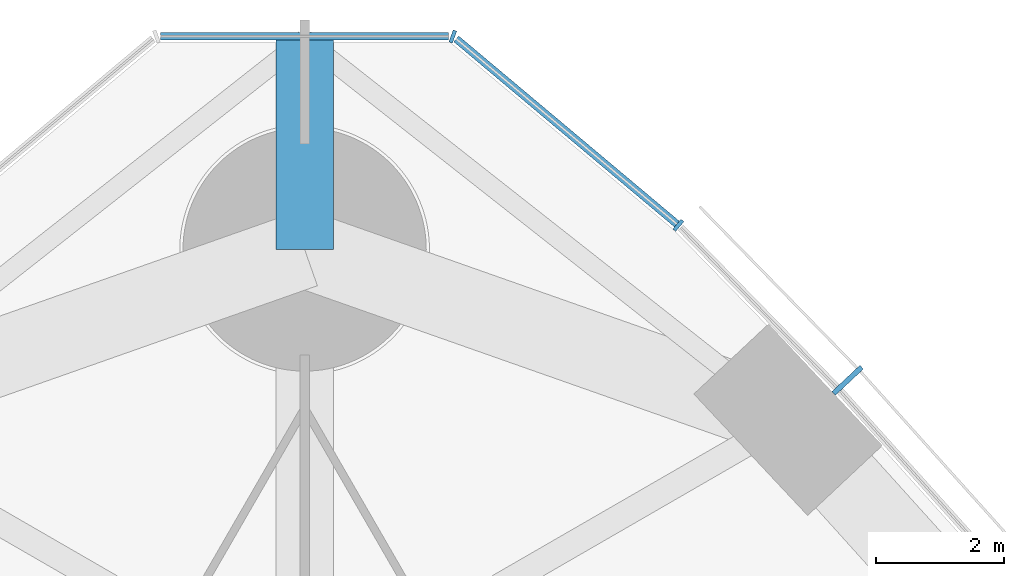
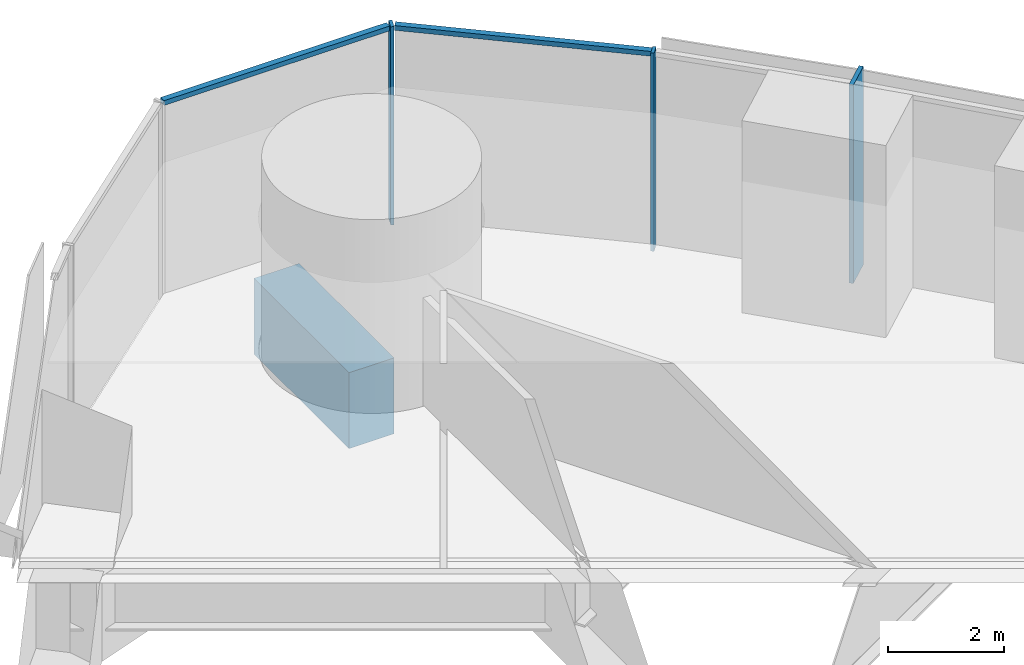
# One storey, part 8 of 19: 5 members, 1 beam, 2 elements without a shape of their own.
"""IFC4 building model written with IfcOpenShell, lengths in metres."""

from ifc_helpers import new_model, si_unit, direction, frame, origin, origin_2d, place, context, subcontext, project, spatial, rectangle, extrude, material, material_profile, profile_set, type_object, element, aggregate, save


model = new_model("IFC4")

# Units and contexts
model_context = context("Model", 3, precision=1e-05, world=origin(), true_north=direction((0.0, 1.0)))
body_context = subcontext(model_context, "Body", "Model", "MODEL_VIEW")
ifc_project = project(units=[si_unit("LENGTHUNIT", "METRE"), si_unit("AREAUNIT", "SQUARE_METRE"), si_unit("VOLUMEUNIT", "CUBIC_METRE"), si_unit("PLANEANGLEUNIT", "RADIAN"), si_unit("MASSUNIT", "GRAM", prefix="KILO")], contexts=[model_context])

# Site, building, storey
site_placement = place(None, origin())
site = spatial("IfcSite", under=ifc_project, at=site_placement, CompositionType="ELEMENT")
building_placement = place(site_placement, origin())
building = spatial("IfcBuilding", under=site, at=building_placement, Name="Trefoil Bronze Tower", CompositionType="ELEMENT")
storey_placement = place(building_placement, frame((0.0, 0.0, 189.699951171875)))
storey = spatial("IfcBuildingStorey", under=building, at=storey_placement, Name="L43", CompositionType="ELEMENT", Elevation=189.699951171875)

# Curtain wall, member
ifc_material_1 = material(Name="Tinted solar-control glass", Category="glass")
curtain_wall_type_1 = type_object("IfcCurtainWallType", Name="Bronze office curtain wall", PredefinedType="USERDEFINED", material=ifc_material_1)
curtain_wall_1_placement = place(storey_placement, origin())
curtain_wall_1 = element("IfcCurtainWall", 1, at=curtain_wall_1_placement, inside=storey, type_object=curtain_wall_type_1, Name="CW-A L43 F2", ObjectType="CURTAIN WALL", PredefinedType="USERDEFINED")
ifc_material_2 = material(Name="Bronze-finish aluminium", Category="aluminium")
ifc_material_profile_1 = material_profile(ifc_material_2, rectangle(XDim=0.60009765625, YDim=0.080078125, at=origin_2d()), Name="CW-A mullion")
ifc_profile_set_1 = profile_set([ifc_material_profile_1], Name="Bronze-finish aluminium")
member_type_1 = type_object("IfcMemberType", Name="Bronze office curtain wall mullion", PredefinedType="MULLION", material=ifc_profile_set_1)
member_1_placement = place(storey_placement, frame((8.482177734375, 30.95654296875, 0.0), z_axis=(0.0, 0.0, 1.0), x_axis=(-0.729859580661, -0.683597098091, 0.0)))
member_1 = element("IfcMember", 2, at=member_1_placement, type_object=member_type_1, Name="CW-A L43 F2 mullion 12", PredefinedType="MULLION", context=body_context, shape_type="SweptSolid", body=[
    extrude(rectangle(XDim=0.60009765625, YDim=0.080078125, at=origin_2d()), origin(), (0.0, 0.0, 1.0), 4.179931640625),
])
aggregate(curtain_wall_1, [member_1])

# Curtain wall, members
ifc_material_3 = material(Name="Tinted solar-control glass", Category="glass")
curtain_wall_type_2 = type_object("IfcCurtainWallType", Name="Bronze rounded corner curtain wall", PredefinedType="USERDEFINED", material=ifc_material_3)
curtain_wall_2_placement = place(storey_placement, origin())
curtain_wall_2 = element("IfcCurtainWall", 3, at=curtain_wall_2_placement, inside=storey, type_object=curtain_wall_type_2, Name="CW-B L43 K2", ObjectType="CURTAIN WALL", PredefinedType="USERDEFINED")
ifc_material_4 = material(Name="Bronze-finish aluminium", Category="aluminium")
ifc_material_profile_2 = material_profile(ifc_material_4, rectangle(XDim=0.199951171875, YDim=0.06005859375, at=origin_2d()), Name="CW-B mullion")
ifc_profile_set_2 = profile_set([ifc_material_profile_2], Name="Bronze-finish aluminium")
member_type_2 = type_object("IfcMemberType", Name="Bronze rounded corner curtain wall mullion", PredefinedType="MULLION", material=ifc_profile_set_2)
member_2_placement = place(storey_placement, frame((5.837890625, 33.3779296875, 0.0), z_axis=(0.0, 0.0, 1.0), x_axis=(-0.642787609687, -0.766044443119, 0.0)))
member_2 = element("IfcMember", 4, at=member_2_placement, type_object=member_type_2, Name="CW-B L43 K2 mullion 1", PredefinedType="MULLION", context=body_context, shape_type="SweptSolid", body=[
    extrude(rectangle(XDim=0.199951171875, YDim=0.06005859375, at=origin_2d()), origin(), (0.0, 0.0, 1.0), 4.179931640625),
])
member_3_placement = place(storey_placement, frame((2.314453125, 36.326416015625, 0.0), z_axis=(0.0, 0.0, 1.0), x_axis=(-0.342020143326, -0.939692620786, 0.0)))
member_3 = element("IfcMember", 5, at=member_3_placement, type_object=member_type_2, Name="CW-B L43 K2 mullion 2", PredefinedType="MULLION", context=body_context, shape_type="SweptSolid", body=[
    extrude(rectangle(XDim=0.199951171875, YDim=0.06005859375, at=origin_2d()), origin(), (0.0, 0.0, 1.0), 4.179931640625),
])
ifc_material_5 = material(Name="Bronze-finish aluminium", Category="aluminium")
ifc_material_profile_3 = material_profile(ifc_material_5, rectangle(XDim=0.1201171875, YDim=0.10009765625, at=origin_2d()), Name="CW-B transom")
ifc_profile_set_3 = profile_set([ifc_material_profile_3], Name="Bronze-finish aluminium")
member_type_3 = type_object("IfcMemberType", Name="Bronze rounded corner curtain wall transom", PredefinedType="USERDEFINED", material=ifc_profile_set_3)
member_4_placement = place(storey_placement, frame((5.814697265625, 33.397216796875, 4.130126953125), z_axis=(-0.766046761698, 0.642784846501, 0.0), x_axis=(-0.642784846501, -0.766046761698, 0.0)))
member_4 = element("IfcMember", 6, at=member_4_placement, type_object=member_type_3, Name="CW-B L43 K2 transom 1", ObjectType="TRANSOM", PredefinedType="USERDEFINED", context=body_context, shape_type="SweptSolid", body=[
    extrude(rectangle(XDim=0.1201171875, YDim=0.10009765625, at=origin_2d()), origin(), (0.0, 0.0, 1.0), 4.5),
])
member_5_placement = place(storey_placement, frame((2.250244140625, 36.33251953125, 4.130126953125), z_axis=(-1.0, 0.0, 0.0), x_axis=(0.0, -1.0, 0.0)))
member_5 = element("IfcMember", 7, at=member_5_placement, type_object=member_type_3, Name="CW-B L43 K2 transom 2", ObjectType="TRANSOM", PredefinedType="USERDEFINED", context=body_context, shape_type="SweptSolid", body=[
    extrude(rectangle(XDim=0.1201171875, YDim=0.10009765625, at=origin_2d()), origin(), (0.0, 0.0, 1.0), 4.50048828125),
])
aggregate(curtain_wall_2, [member_2, member_3, member_4, member_5])

# Beam
ifc_material_6 = material(Name="Concrete B80", Category="concrete")
ifc_material_profile_4 = material_profile(ifc_material_6, rectangle(XDim=0.89990234375, YDim=1.60009765625, at=origin_2d()), Name="RC 900x1600")
ifc_profile_set_4 = profile_set([ifc_material_profile_4], Name="Concrete B80")
beam_type = type_object("IfcBeamType", Name="Corner cantilever RC 900x1600", PredefinedType="BEAM", material=ifc_profile_set_4)
beam_placement = place(storey_placement, frame((0.0, 33.0, -1.0), z_axis=(0.0, 1.0, 0.0), x_axis=(-1.0, 0.0, 0.0)))
element("IfcBeam", 8, at=beam_placement, inside=storey, type_object=beam_type, Name="Corner cantilever K2 L43", PredefinedType="BEAM", context=body_context, shape_type="SweptSolid", body=[
    extrude(rectangle(XDim=0.89990234375, YDim=1.60009765625, at=origin_2d()), origin(), (0.0, 0.0, 1.0), 3.28466796875),
])

save(model, "model.ifc")
